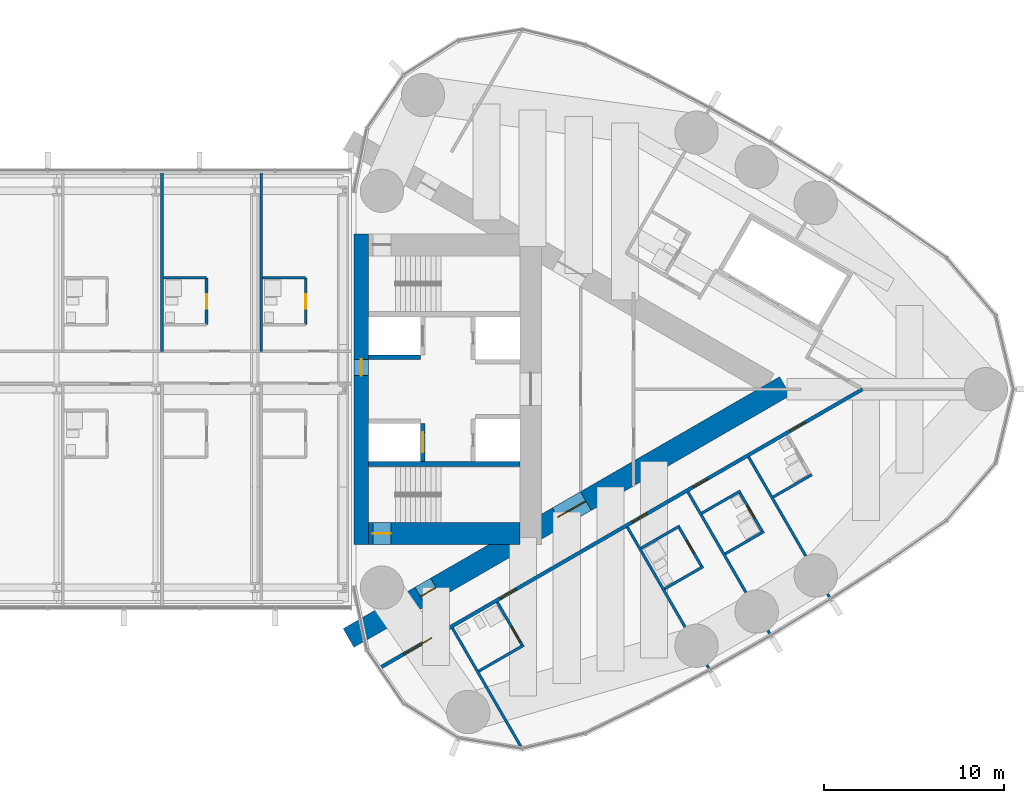
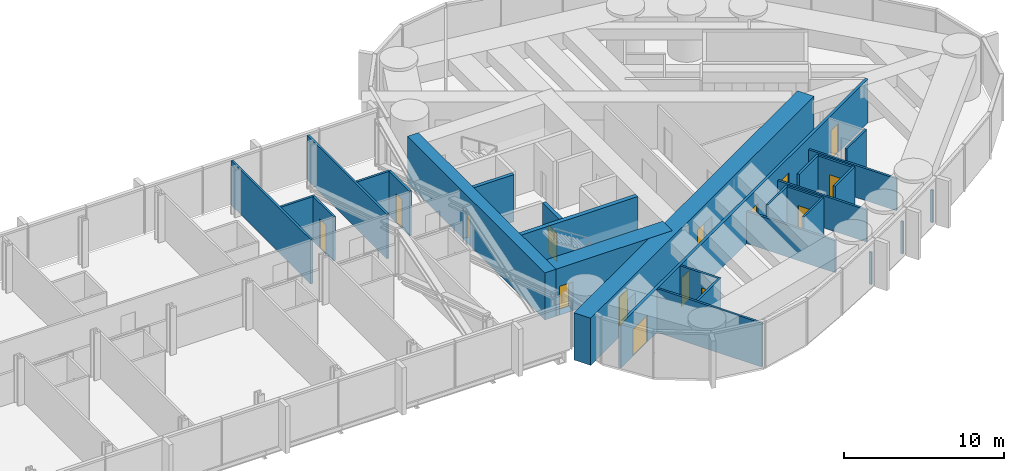
# One storey, part 19 of 24: 29 walls, 15 doors, 15 openings.
"""IFC4 building model written with IfcOpenShell, lengths in metres."""

import ifcopenshell
import ifcopenshell.guid

model = None  # the IFC model being written
_history = None  # IfcOwnerHistory: only IFC2X3 demands one
_inside = {}  # id of a spatial element -> (the spatial element, [elements in it])
_under = {}  # id of a project, library or spatial element -> (it, [spatial elements below it])
_declared = {}  # id of a project -> (the project, [libraries it declares])
_typed = {}  # id of a type object -> (the type object, [elements of that type])
_made_of = {}  # id of a material, layer set ... -> (it, [elements and type objects made of it])


def new_model(schema):
    """Start an empty IFC model of exactly this schema.

    Asked for "IFC4X3", IfcOpenShell would pick the latest addendum, in which some entities
    have other attributes; the version numbers below select the first issue.
    IFC2X3 requires an IfcOwnerHistory on every rooted entity: one is made here for all.
    """
    global model, _history
    if schema == "IFC4X3":
        model = ifcopenshell.file(schema_version=(4, 3, 0, 0))
    else:
        model = ifcopenshell.file(schema=schema)
    _inside.clear()
    _under.clear()
    _declared.clear()
    _typed.clear()
    _made_of.clear()
    _history = None
    if model.schema == "IFC2X3":
        org = make("IfcOrganization", Name="unknown")
        user = make(
            "IfcPersonAndOrganization",
            ThePerson=make("IfcPerson", FamilyName="unknown"),
            TheOrganization=org,
        )
        app = make(
            "IfcApplication",
            ApplicationDeveloper=org,
            Version="unknown",
            ApplicationFullName="unknown",
            ApplicationIdentifier="unknown",
        )
        _history = make(
            "IfcOwnerHistory",
            OwningUser=user,
            OwningApplication=app,
            ChangeAction="ADDED",
            CreationDate=0,
        )
    return model


def make(cls, **values):
    """One entity of the class cls with the attributes given. An attribute that is None is left unset."""
    return model.create_entity(
        cls, **{name: value for name, value in values.items() if value is not None}
    )


def rooted(cls, **values):
    """An entity with a GlobalId (a new one), such as an element, a storey or a relation."""
    return make(cls, GlobalId=ifcopenshell.guid.new(), OwnerHistory=_history, **values)


def si_unit(unit_type, name, prefix=None):
    """IfcSIUnit, for example si_unit("LENGTHUNIT", "METRE", prefix="MILLI")."""
    return make("IfcSIUnit", UnitType=unit_type, Prefix=prefix, Name=name)


def assignment(units):
    """IfcUnitAssignment: the units of a project."""
    return None if units is None else make("IfcUnitAssignment", Units=units)


def point(xyz):
    """IfcCartesianPoint."""
    return None if xyz is None else make("IfcCartesianPoint", Coordinates=xyz)


def direction(xyz):
    """IfcDirection."""
    return None if xyz is None else make("IfcDirection", DirectionRatios=xyz)


def frame(location, z_axis=None, x_axis=None):
    """IfcAxis2Placement3D, a coordinate frame: its origin and axes. An axis left out is left unset."""
    return make(
        "IfcAxis2Placement3D",
        Location=point(location),
        Axis=direction(z_axis),
        RefDirection=direction(x_axis),
    )


def frame_2d(location, x_axis=None):
    """IfcAxis2Placement2D, a coordinate frame in the plane: its origin and x axis."""
    return make(
        "IfcAxis2Placement2D", Location=point(location), RefDirection=direction(x_axis)
    )


def origin():
    """The frame at (0, 0, 0) with its axes left unset."""
    return frame((0.0, 0.0, 0.0))


def place(relative_to, where):
    """IfcLocalPlacement: puts the frame where relative to a parent placement (None: the world)."""
    return make(
        "IfcLocalPlacement", PlacementRelTo=relative_to, RelativePlacement=where
    )


def context(
    kind, dimensions, precision=None, world=None, true_north=None, identifier=None
):
    """IfcGeometricRepresentationContext, for example the 3D "Model" context."""
    return make(
        "IfcGeometricRepresentationContext",
        ContextIdentifier=identifier,
        ContextType=kind,
        CoordinateSpaceDimension=dimensions,
        Precision=precision,
        WorldCoordinateSystem=world,
        TrueNorth=true_north,
    )


def subcontext(parent, identifier, kind, view, scale=None):
    """IfcGeometricRepresentationSubContext, for example "Body" below "Model"."""
    return make(
        "IfcGeometricRepresentationSubContext",
        ContextIdentifier=identifier,
        ContextType=kind,
        ParentContext=parent,
        TargetScale=scale,
        TargetView=view,
    )


def project(units=None, contexts=None):
    """IfcProject with its units and contexts."""
    return rooted(
        "IfcProject",
        Name="project",
        RepresentationContexts=contexts,
        UnitsInContext=assignment(units),
    )


def spatial(cls, under=None, at=None, **own):
    """A site, building, storey or space (cls), placed at a placement, below another one or the project."""
    s = rooted(cls, ObjectPlacement=at, **own)
    if under is not None:
        _under.setdefault(under.id(), (under, []))[1].append(s)
    return s


def profile(cls, at=None, kind="AREA", **sizes):
    """A parametric profile (cls). Its sizes go by their IFC names, for example OverallWidth=200.0."""
    return make(cls, ProfileType=kind, Position=at, **sizes)


def rectangle(**sizes):
    """IfcRectangleProfileDef."""
    return profile("IfcRectangleProfileDef", **sizes)


def extrude(swept, where, along, depth):
    """IfcExtrudedAreaSolid: the profile swept, set in the frame where, extruded along a direction by depth."""
    return make(
        "IfcExtrudedAreaSolid",
        SweptArea=swept,
        Position=where,
        ExtrudedDirection=direction(along),
        Depth=depth,
    )


def shape(context_of_items, identifier, shape_type, items):
    """IfcShapeRepresentation: the items that make up one representation, for example the "Body"."""
    return make(
        "IfcShapeRepresentation",
        ContextOfItems=context_of_items,
        RepresentationIdentifier=identifier,
        RepresentationType=shape_type,
        Items=items,
    )


def material(Name=None, Category=None):
    """IfcMaterial."""
    return make("IfcMaterial", Name=Name, Category=Category)


def layer(
    of_material, thickness, ventilated=None, Name=None, Category=None, Priority=None
):
    """IfcMaterialLayer: one layer of a wall or slab, of a material (None: an air gap)."""
    return make(
        "IfcMaterialLayer",
        Material=of_material,
        LayerThickness=thickness,
        IsVentilated=ventilated,
        Name=Name,
        Category=Category,
        Priority=Priority,
    )


def layer_set(layers, Name=None):
    """IfcMaterialLayerSet."""
    return make("IfcMaterialLayerSet", MaterialLayers=layers, LayerSetName=Name)


def made_of(thing, what):
    """Note that an element or type object is made of a material, layer set ...; save() writes the relation."""
    if what is not None:
        _made_of.setdefault(what.id(), (what, []))[1].append(thing)
    return thing


def type_object(cls, material=None, **own):
    """A type object (cls), such as IfcWallType, which elements share."""
    return made_of(rooted(cls, **own), material)


def element(
    cls,
    number,
    at=None,
    inside=None,
    cuts=None,
    type_object=None,
    material=None,
    context=None,
    identifier="Body",
    shape_type=None,
    held_by="IfcProductDefinitionShape",
    body=None,
    shapes=None,
    **own,
):
    """One element of the class cls, such as IfcWall. Its Tag is "e" and its number.

    at: its placement. inside: the storey or other place that contains it. cuts: it is an
    opening in that element (IfcRelVoidsElement). A single representation is given by context,
    identifier, shape_type and body (its items); several are given by shapes. held_by: the class
    of the entity that holds the representations. save() writes the other relations.
    """
    e = rooted(cls, Tag="e%d" % number, ObjectPlacement=at, **own)
    if body is not None:
        shapes = [shape(context, identifier, shape_type, body)]
    if shapes is not None:
        e.Representation = make(held_by, Representations=shapes)
    if inside is not None:
        _inside.setdefault(inside.id(), (inside, []))[1].append(e)
    if cuts is not None:
        rooted(
            "IfcRelVoidsElement", RelatingBuildingElement=cuts, RelatedOpeningElement=e
        )
    if type_object is not None:
        _typed.setdefault(type_object.id(), (type_object, []))[1].append(e)
    return made_of(e, material)


def fill(opening, filler):
    """IfcRelFillsElement: the door or window that sits in an opening."""
    return rooted(
        "IfcRelFillsElement",
        RelatingOpeningElement=opening,
        RelatedBuildingElement=filler,
    )


def aggregate(whole, parts):
    """IfcRelAggregates: a whole, such as a stair, and the parts it consists of."""
    return rooted("IfcRelAggregates", RelatingObject=whole, RelatedObjects=parts)


def save(model, path):
    """Write the relations noted so far, then the file.

    IfcRelAggregates (storeys below a building ...), IfcRelContainedInSpatialStructure (elements
    in a storey), IfcRelDefinesByType, IfcRelAssociatesMaterial and IfcRelDeclares: one each for
    every whole, place, type object, material and project.
    """
    for whole, parts in _under.values():
        aggregate(whole, parts)
    for where, things in _inside.values():
        rooted(
            "IfcRelContainedInSpatialStructure",
            RelatedElements=things,
            RelatingStructure=where,
        )
    for kind, things in _typed.values():
        rooted("IfcRelDefinesByType", RelatedObjects=things, RelatingType=kind)
    for what, things in _made_of.values():
        rooted("IfcRelAssociatesMaterial", RelatedObjects=things, RelatingMaterial=what)
    for by, libraries in _declared.values():
        rooted("IfcRelDeclares", RelatingContext=by, RelatedDefinitions=libraries)
    model.write(path)


model = new_model("IFC4")

# Units and contexts
model_context = context("Model", 3, precision=1e-05, world=origin(), true_north=direction((0.0, 1.0)))
body_context = subcontext(model_context, "Body", "Model", "MODEL_VIEW")
ifc_project = project(units=[si_unit("LENGTHUNIT", "METRE"), si_unit("AREAUNIT", "SQUARE_METRE"), si_unit("VOLUMEUNIT", "CUBIC_METRE"), si_unit("PLANEANGLEUNIT", "RADIAN"), si_unit("MASSUNIT", "GRAM", prefix="KILO")], contexts=[model_context])

# Site, building, storey
site_placement = place(None, origin())
site = spatial("IfcSite", under=ifc_project, at=site_placement, CompositionType="ELEMENT")
building_placement = place(site_placement, origin())
building = spatial("IfcBuilding", under=site, at=building_placement, Name="Lancet Gate Hotel", CompositionType="ELEMENT")
storey_placement = place(building_placement, frame((0.0, 0.0, 236.89990234375)))
storey = spatial("IfcBuildingStorey", under=building, at=storey_placement, Name="L63", CompositionType="ELEMENT", Elevation=236.89990234375)

# Wall
ifc_material_1 = material(Name="Moisture resistant board partition")
ifc_layer_1 = layer(ifc_material_1, 0.14990234375)
ifc_layer_set_1 = layer_set([ifc_layer_1], Name="Bathroom wall 150")
wall_type_1 = type_object("IfcWallType", Name="Bathroom wall 150", PredefinedType="PARTITIONING", material=ifc_layer_set_1)
wall_1_placement = place(storey_placement, frame((34.425048828125, -15.633056640625, 0.0), z_axis=(0.0, 0.0, 1.0), x_axis=(0.866018712932, 0.500011588718, 0.0)))
element("IfcWall", 1, at=wall_1_placement, inside=storey, type_object=wall_type_1, Name="T2 bathroom wall 150 L63", PredefinedType="PARTITIONING", context=body_context, shape_type="SweptSolid", body=[
    extrude(rectangle(XDim=2.875, YDim=0.14990234375, at=frame_2d((1.4375, 0.0))), origin(), (0.0, 0.0, 1.0), 3.35009765625),
])

# Wall, opening, door
wall_2_placement = place(storey_placement, frame((35.449951171875, -11.80810546875, 0.0), z_axis=(0.0, 0.0, 1.0), x_axis=(0.49994636267, -0.866056369097, 0.0)))
wall_2 = element("IfcWall", 2, at=wall_2_placement, inside=storey, type_object=wall_type_1, Name="T2 bathroom wall 150 L63", PredefinedType="PARTITIONING", context=body_context, shape_type="SweptSolid", body=[
    extrude(rectangle(XDim=2.800048828125, YDim=0.14990234375, at=frame_2d((1.39990234375, 0.0))), origin(), (0.0, 0.0, 1.0), 3.35009765625),
])
opening_1_placement = place(wall_2_placement, frame((1.550048828125, 0.0, 0.0)))
opening_1 = element("IfcOpeningElement", 3, at=opening_1_placement, cuts=wall_2, Name="Opening 6352-B", PredefinedType="OPENING", context=body_context, shape_type="SweptSolid", body=[
    extrude(rectangle(XDim=1.0, YDim=2.199951171875, at=frame_2d((0.5, 1.10009765625))), frame((0.0, 0.0849609375, 0.0), z_axis=(0.0, -1.0, 0.0), x_axis=(1.0, 0.0, 0.0)), (0.0, 0.0, 1.0), 0.169921875),
])
ifc_material_2 = material(Name="Timber door set", Category="wood")
door_type_1 = type_object("IfcDoorType", Name="Accessible en-suite door 1000", OperationType="SINGLE_SWING_RIGHT", PredefinedType="DOOR", material=ifc_material_2)
door_1_placement = place(opening_1_placement, origin())
door_1 = element("IfcDoor", 4, at=door_1_placement, inside=storey, type_object=door_type_1, Name="6352-B", OperationType="SINGLE_SWING_RIGHT", OverallHeight=2.199951171875, OverallWidth=1.0, PredefinedType="DOOR", context=body_context, shape_type="SweptSolid", body=[
    extrude(rectangle(XDim=1.0, YDim=2.199951171875, at=frame_2d((0.5, 1.10009765625))), frame((0.0, 0.02490234375, 0.0), z_axis=(0.0, -1.0, 0.0), x_axis=(1.0, 0.0, 0.0)), (0.0, 0.0, 1.0), 0.050048828125),
])
fill(opening_1, door_1)

# Wall
wall_3_placement = place(storey_placement, frame((44.724609375, -11.072265625, 0.0), z_axis=(0.0, 0.0, 1.0), x_axis=(0.866006523861, 0.500032699561, 0.0)))
element("IfcWall", 5, at=wall_3_placement, inside=storey, type_object=wall_type_1, Name="T2 bathroom wall 150 L63", PredefinedType="PARTITIONING", context=body_context, shape_type="SweptSolid", body=[
    extrude(rectangle(XDim=2.474853515625, YDim=0.14990234375, at=frame_2d((1.2373046875, 0.0))), origin(), (0.0, 0.0, 1.0), 3.35009765625),
])

# Wall, opening, door
wall_4_placement = place(storey_placement, frame((45.5029296875, -7.62060546875, 0.0), z_axis=(0.0, 0.0, 1.0), x_axis=(0.500006934395, -0.866021400173, 0.0)))
wall_4 = element("IfcWall", 6, at=wall_4_placement, inside=storey, type_object=wall_type_1, Name="T2 bathroom wall 150 L63", PredefinedType="PARTITIONING", context=body_context, shape_type="SweptSolid", body=[
    extrude(rectangle(XDim=2.60009765625, YDim=0.14990234375, at=frame_2d((1.300048828125, 0.0))), origin(), (0.0, 0.0, 1.0), 3.35009765625),
])
opening_2_placement = place(wall_4_placement, frame((0.89990234375, 0.0, 0.0)))
opening_2 = element("IfcOpeningElement", 7, at=opening_2_placement, cuts=wall_4, Name="Opening 6353-B", PredefinedType="OPENING", context=body_context, shape_type="SweptSolid", body=[
    extrude(rectangle(XDim=0.800048828125, YDim=2.199951171875, at=frame_2d((0.39990234375, 1.10009765625))), frame((0.0, 0.0849609375, 0.0), z_axis=(0.0, -1.0, 0.0), x_axis=(1.0, 0.0, 0.0)), (0.0, 0.0, 1.0), 0.169921875),
])
ifc_material_3 = material(Name="Timber door set", Category="wood")
door_type_2 = type_object("IfcDoorType", Name="Bathroom door 800", OperationType="SINGLE_SWING_RIGHT", PredefinedType="DOOR", material=ifc_material_3)
door_2_placement = place(opening_2_placement, origin())
door_2 = element("IfcDoor", 8, at=door_2_placement, inside=storey, type_object=door_type_2, Name="6353-B", OperationType="SINGLE_SWING_RIGHT", OverallHeight=2.199951171875, OverallWidth=0.800048828125, PredefinedType="DOOR", context=body_context, shape_type="SweptSolid", body=[
    extrude(rectangle(XDim=0.800048828125, YDim=2.199951171875, at=frame_2d((0.39990234375, 1.10009765625))), frame((0.0, 0.02490234375, 0.0), z_axis=(0.0, -1.0, 0.0), x_axis=(1.0, 0.0, 0.0)), (0.0, 0.0, 1.0), 0.050048828125),
])
fill(opening_2, door_2)

# Walls
for number, where, z_axis, x_axis, name in (
    (9, (43.424560546875, -8.820556640625, 0.0), (0.0, 0.0, 1.0), (0.866006523861, 0.500032699561, 0.0), "T2 bathroom wall 150 L63"),
    (10, (48.087890625, -9.13037109375, 0.0), (0.0, 0.0, 1.0), (0.86604923931, 0.499958713387, 0.0), "T2 bathroom wall 150 L63"),
):
    element("IfcWall", number, at=place(storey_placement, frame(where, z_axis=z_axis, x_axis=x_axis)), inside=storey, type_object=wall_type_1, Name=name, PredefinedType="PARTITIONING", context=body_context, shape_type="SweptSolid", body=[
        extrude(rectangle(XDim=2.474853515625, YDim=0.14990234375, at=frame_2d((1.2373046875, 0.0))), origin(), (0.0, 0.0, 1.0), 3.35009765625),
    ])

# Wall, opening, door
wall_5_placement = place(storey_placement, frame((48.8662109375, -5.6787109375, 0.0), z_axis=(0.0, 0.0, 1.0), x_axis=(0.500006934395, -0.866021400173, 0.0)))
wall_5 = element("IfcWall", 11, at=wall_5_placement, inside=storey, type_object=wall_type_1, Name="T2 bathroom wall 150 L63", PredefinedType="PARTITIONING", context=body_context, shape_type="SweptSolid", body=[
    extrude(rectangle(XDim=2.60009765625, YDim=0.14990234375, at=frame_2d((1.300048828125, 0.0))), origin(), (0.0, 0.0, 1.0), 3.35009765625),
])
opening_3_placement = place(wall_5_placement, frame((0.89990234375, 0.0, 0.0)))
opening_3 = element("IfcOpeningElement", 12, at=opening_3_placement, cuts=wall_5, Name="Opening 6354-B", PredefinedType="OPENING", context=body_context, shape_type="SweptSolid", body=[
    extrude(rectangle(XDim=0.800048828125, YDim=2.199951171875, at=frame_2d((0.39990234375, 1.10009765625))), frame((0.0, 0.0849609375, 0.0), z_axis=(0.0, -1.0, 0.0), x_axis=(1.0, 0.0, 0.0)), (0.0, 0.0, 1.0), 0.169921875),
])
door_3_placement = place(opening_3_placement, origin())
door_3 = element("IfcDoor", 13, at=door_3_placement, inside=storey, type_object=door_type_2, Name="6354-B", OperationType="SINGLE_SWING_RIGHT", OverallHeight=2.199951171875, OverallWidth=0.800048828125, PredefinedType="DOOR", context=body_context, shape_type="SweptSolid", body=[
    extrude(rectangle(XDim=0.800048828125, YDim=2.199951171875, at=frame_2d((0.39990234375, 1.10009765625))), frame((0.0, 0.02490234375, 0.0), z_axis=(0.0, -1.0, 0.0), x_axis=(1.0, 0.0, 0.0)), (0.0, 0.0, 1.0), 0.050048828125),
])
fill(opening_3, door_3)

# Walls
wall_6_placement = place(storey_placement, frame((46.787841796875, -6.87890625, 0.0), z_axis=(0.0, 0.0, 1.0), x_axis=(0.866006523861, 0.500032699561, 0.0)))
element("IfcWall", 14, at=wall_6_placement, inside=storey, type_object=wall_type_1, Name="T2 bathroom wall 150 L63", PredefinedType="PARTITIONING", context=body_context, shape_type="SweptSolid", body=[
    extrude(rectangle(XDim=2.474853515625, YDim=0.14990234375, at=frame_2d((1.2373046875, 0.0))), origin(), (0.0, 0.0, 1.0), 3.35009765625),
])
wall_7_placement = place(storey_placement, frame((50.75, -5.976806640625, 0.0), z_axis=(0.0, 0.0, 1.0), x_axis=(0.866031185235, 0.4999899861, 0.0)))
element("IfcWall", 15, at=wall_7_placement, inside=storey, type_object=wall_type_1, Name="T2 bathroom wall 150 L63", PredefinedType="PARTITIONING", context=body_context, shape_type="SweptSolid", body=[
    extrude(rectangle(XDim=2.47509765625, YDim=0.14990234375, at=frame_2d((1.237548828125, 0.0))), origin(), (0.0, 0.0, 1.0), 3.35009765625),
])
wall_8_placement = place(storey_placement, frame((16.925048828125, 6.175048828125, 0.0), z_axis=(0.0, 0.0, 1.0), x_axis=(1.0, 0.0, 0.0)))
element("IfcWall", 16, at=wall_8_placement, inside=storey, type_object=wall_type_1, Name="Bridge block bathroom wall 150 L63", PredefinedType="PARTITIONING", context=body_context, shape_type="SweptSolid", body=[
    extrude(rectangle(XDim=2.39990234375, YDim=0.14990234375, at=frame_2d((1.199951171875, 0.0))), origin(), (0.0, 0.0, 1.0), 3.400146484375),
])

# Wall, opening, door
wall_9_placement = place(storey_placement, frame((19.324951171875, 3.574951171875, 0.0), z_axis=(0.0, 0.0, 1.0), x_axis=(0.0, 1.0, 0.0)))
wall_9 = element("IfcWall", 17, at=wall_9_placement, inside=storey, type_object=wall_type_1, Name="Bridge block bathroom wall 150 L63", PredefinedType="PARTITIONING", context=body_context, shape_type="SweptSolid", body=[
    extrude(rectangle(XDim=2.60009765625, YDim=0.14990234375, at=frame_2d((1.300048828125, 0.0))), origin(), (0.0, 0.0, 1.0), 3.400146484375),
])
opening_4_placement = place(wall_9_placement, frame((0.89990234375, 0.0, 0.0)))
opening_4 = element("IfcOpeningElement", 18, at=opening_4_placement, cuts=wall_9, Name="Opening B6319-B", PredefinedType="OPENING", context=body_context, shape_type="SweptSolid", body=[
    extrude(rectangle(XDim=0.800048828125, YDim=2.199951171875, at=frame_2d((0.39990234375, 1.10009765625))), frame((0.0, 0.0849609375, 0.0), z_axis=(0.0, -1.0, 0.0), x_axis=(1.0, 0.0, 0.0)), (0.0, 0.0, 1.0), 0.169921875),
])
door_4_placement = place(opening_4_placement, origin())
door_4 = element("IfcDoor", 19, at=door_4_placement, inside=storey, type_object=door_type_2, Name="B6319-B", OperationType="SINGLE_SWING_RIGHT", OverallHeight=2.199951171875, OverallWidth=0.800048828125, PredefinedType="DOOR", context=body_context, shape_type="SweptSolid", body=[
    extrude(rectangle(XDim=0.800048828125, YDim=2.199951171875, at=frame_2d((0.39990234375, 1.10009765625))), frame((0.0, 0.02490234375, 0.0), z_axis=(0.0, -1.0, 0.0), x_axis=(1.0, 0.0, 0.0)), (0.0, 0.0, 1.0), 0.050048828125),
])
fill(opening_4, door_4)

# Wall
wall_10_placement = place(storey_placement, frame((22.425048828125, 6.175048828125, 0.0), z_axis=(0.0, 0.0, 1.0), x_axis=(1.0, 0.0, 0.0)))
element("IfcWall", 20, at=wall_10_placement, inside=storey, type_object=wall_type_1, Name="Bridge block bathroom wall 150 L63", PredefinedType="PARTITIONING", context=body_context, shape_type="SweptSolid", body=[
    extrude(rectangle(XDim=2.39990234375, YDim=0.14990234375, at=frame_2d((1.199951171875, 0.0))), origin(), (0.0, 0.0, 1.0), 3.400146484375),
])

# Wall, opening, door
wall_11_placement = place(storey_placement, frame((24.824951171875, 3.574951171875, 0.0), z_axis=(0.0, 0.0, 1.0), x_axis=(0.0, 1.0, 0.0)))
wall_11 = element("IfcWall", 21, at=wall_11_placement, inside=storey, type_object=wall_type_1, Name="Bridge block bathroom wall 150 L63", PredefinedType="PARTITIONING", context=body_context, shape_type="SweptSolid", body=[
    extrude(rectangle(XDim=2.60009765625, YDim=0.14990234375, at=frame_2d((1.300048828125, 0.0))), origin(), (0.0, 0.0, 1.0), 3.400146484375),
])
opening_5_placement = place(wall_11_placement, frame((0.89990234375, 0.0, 0.0)))
opening_5 = element("IfcOpeningElement", 22, at=opening_5_placement, cuts=wall_11, Name="Opening B6320-B", PredefinedType="OPENING", context=body_context, shape_type="SweptSolid", body=[
    extrude(rectangle(XDim=0.800048828125, YDim=2.199951171875, at=frame_2d((0.39990234375, 1.10009765625))), frame((0.0, 0.0849609375, 0.0), z_axis=(0.0, -1.0, 0.0), x_axis=(1.0, 0.0, 0.0)), (0.0, 0.0, 1.0), 0.169921875),
])
door_5_placement = place(opening_5_placement, origin())
door_5 = element("IfcDoor", 23, at=door_5_placement, inside=storey, type_object=door_type_2, Name="B6320-B", OperationType="SINGLE_SWING_RIGHT", OverallHeight=2.199951171875, OverallWidth=0.800048828125, PredefinedType="DOOR", context=body_context, shape_type="SweptSolid", body=[
    extrude(rectangle(XDim=0.800048828125, YDim=2.199951171875, at=frame_2d((0.39990234375, 1.10009765625))), frame((0.0, 0.02490234375, 0.0), z_axis=(0.0, -1.0, 0.0), x_axis=(1.0, 0.0, 0.0)), (0.0, 0.0, 1.0), 0.050048828125),
])
fill(opening_5, door_5)

# Wall, openings, doors
ifc_material_4 = material(Name="Concrete C70/85", Category="concrete")
ifc_layer_2 = layer(ifc_material_4, 1.199951171875)
ifc_layer_set_2 = layer_set([ifc_layer_2], Name="Buttress wall 1200")
wall_type_2 = type_object("IfcWallType", Name="Buttress wall 1200", PredefinedType="SHEAR", material=ifc_layer_set_2)
wall_12_placement = place(storey_placement, frame((27.199951171875, -13.800048828125, 0.0), z_axis=(0.0, 0.0, 1.0), x_axis=(0.866027159892, 0.499996958321, 0.0)))
wall_12 = element("IfcWall", 24, at=wall_12_placement, inside=storey, type_object=wall_type_2, Name="T2 buttress wall S L63", PredefinedType="SHEAR", context=body_context, shape_type="SweptSolid", body=[
    extrude(rectangle(XDim=27.946533203125, YDim=1.199951171875, at=frame_2d((13.97314453125, 0.0))), origin(), (0.0, 0.0, 1.0), 3.60009765625),
])
opening_6_placement = place(wall_12_placement, frame((4.60009765625, 0.0, 0.0)))
opening_6 = element("IfcOpeningElement", 25, at=opening_6_placement, cuts=wall_12, Name="Opening T2-L63-LS", PredefinedType="OPENING", context=body_context, shape_type="SweptSolid", body=[
    extrude(rectangle(XDim=1.0, YDim=2.199951171875, at=frame_2d((0.5, 1.10009765625))), frame((0.0, 0.60986328125, 0.0), z_axis=(0.0, -1.0, 0.0), x_axis=(1.0, 0.0, 0.0)), (0.0, 0.0, 1.0), 1.219970703125),
])
opening_7_placement = place(wall_12_placement, frame((13.39453125, 0.0, 0.0)))
opening_7 = element("IfcOpeningElement", 26, at=opening_7_placement, cuts=wall_12, Name="Opening T2-L63-LHS", PredefinedType="OPENING", context=body_context, shape_type="SweptSolid", body=[
    extrude(rectangle(XDim=1.800048828125, YDim=2.199951171875, at=frame_2d((0.89990234375, 1.10009765625))), frame((0.0, 0.60986328125, 0.0), z_axis=(0.0, -1.0, 0.0), x_axis=(1.0, 0.0, 0.0)), (0.0, 0.0, 1.0), 1.219970703125),
])
ifc_material_5 = material(Name="Timber door set", Category="wood")
door_type_3 = type_object("IfcDoorType", Name="Lobby double door 1800", OperationType="DOUBLE_DOOR_SINGLE_SWING", PredefinedType="DOOR", material=ifc_material_5)
door_6_placement = place(opening_7_placement, origin())
door_6 = element("IfcDoor", 27, at=door_6_placement, inside=storey, type_object=door_type_3, Name="T2-L63-LHS", OperationType="DOUBLE_DOOR_SINGLE_SWING", OverallHeight=2.199951171875, OverallWidth=1.800048828125, PredefinedType="DOOR", context=body_context, shape_type="SweptSolid", body=[
    extrude(rectangle(XDim=1.800048828125, YDim=2.199951171875, at=frame_2d((0.89990234375, 1.10009765625))), frame((0.0, 0.02490234375, 0.0), z_axis=(0.0, -1.0, 0.0), x_axis=(1.0, 0.0, 0.0)), (0.0, 0.0, 1.0), 0.050048828125),
])
fill(opening_7, door_6)
ifc_material_6 = material(Name="Timber door set", Category="wood")
door_type_4 = type_object("IfcDoorType", Name="Stair lobby door 1000", OperationType="SINGLE_SWING_LEFT", PredefinedType="DOOR", material=ifc_material_6)
door_7_placement = place(opening_6_placement, origin())
door_7 = element("IfcDoor", 28, at=door_7_placement, inside=storey, type_object=door_type_4, Name="T2-L63-LS", OperationType="SINGLE_SWING_LEFT", OverallHeight=2.199951171875, OverallWidth=1.0, PredefinedType="DOOR", context=body_context, shape_type="SweptSolid", body=[
    extrude(rectangle(XDim=1.0, YDim=2.199951171875, at=frame_2d((0.5, 1.10009765625))), frame((0.0, 0.02490234375, 0.0), z_axis=(0.0, -1.0, 0.0), x_axis=(1.0, 0.0, 0.0)), (0.0, 0.0, 1.0), 0.050048828125),
])
fill(opening_6, door_7)

# Wall, opening, door
ifc_material_7 = material(Name="Concrete C70/85", Category="concrete")
ifc_layer_3 = layer(ifc_material_7, 1.199951171875)
ifc_layer_set_3 = layer_set([ifc_layer_3], Name="Core wall 1200")
wall_type_3 = type_object("IfcWallType", Name="Core wall 1200", PredefinedType="SHEAR", material=ifc_layer_set_3)
wall_13_placement = place(storey_placement, frame((28.300048828125, -8.0, 0.0), z_axis=(0.0, 0.0, 1.0), x_axis=(1.0, 0.0, 0.0)))
wall_13 = element("IfcWall", 29, at=wall_13_placement, inside=storey, type_object=wall_type_3, Name="T2 core wall side-S L63", PredefinedType="SHEAR", context=body_context, shape_type="SweptSolid", body=[
    extrude(rectangle(XDim=8.39990234375, YDim=1.199951171875, at=frame_2d((4.199951171875, 0.0))), origin(), (0.0, 0.0, 1.0), 3.60009765625),
])
opening_8_placement = place(wall_13_placement, frame((0.25, 0.0, 0.0)))
opening_8 = element("IfcOpeningElement", 30, at=opening_8_placement, cuts=wall_13, Name="Opening T2-L63-ST1", PredefinedType="OPENING", context=body_context, shape_type="SweptSolid", body=[
    extrude(rectangle(XDim=1.0, YDim=2.199951171875, at=frame_2d((0.5, 1.10009765625))), frame((0.0, 0.60986328125, 0.0), z_axis=(0.0, -1.0, 0.0), x_axis=(1.0, 0.0, 0.0)), (0.0, 0.0, 1.0), 1.219970703125),
])
ifc_material_8 = material(Name="Timber door set", Category="wood")
door_type_5 = type_object("IfcDoorType", Name="Stair door 1000", OperationType="SINGLE_SWING_RIGHT", PredefinedType="DOOR", material=ifc_material_8)
door_8_placement = place(opening_8_placement, origin())
door_8 = element("IfcDoor", 31, at=door_8_placement, inside=storey, type_object=door_type_5, Name="T2-L63-ST1", OperationType="SINGLE_SWING_RIGHT", OverallHeight=2.199951171875, OverallWidth=1.0, PredefinedType="DOOR", context=body_context, shape_type="SweptSolid", body=[
    extrude(rectangle(XDim=1.0, YDim=2.199951171875, at=frame_2d((0.5, 1.10009765625))), frame((0.0, 0.02490234375, 0.0), z_axis=(0.0, -1.0, 0.0), x_axis=(1.0, 0.0, 0.0)), (0.0, 0.0, 1.0), 0.050048828125),
])
fill(opening_8, door_8)

ifc_material_9 = material(Name="Concrete C70/85", Category="concrete")
ifc_layer_4 = layer(ifc_material_9, 0.800048828125)
ifc_layer_set_4 = layer_set([ifc_layer_4], Name="Core wall 800")
wall_type_4 = type_object("IfcWallType", Name="Core wall 800", PredefinedType="SHEAR", material=ifc_layer_set_4)
wall_14_placement = place(storey_placement, frame((27.89990234375, -8.60009765625, 0.0), z_axis=(0.0, 0.0, 1.0), x_axis=(0.0, 1.0, 0.0)))
wall_14 = element("IfcWall", 32, at=wall_14_placement, inside=storey, type_object=wall_type_4, Name="T2 core wall front L63", PredefinedType="SHEAR", context=body_context, shape_type="SweptSolid", body=[
    extrude(rectangle(XDim=17.2001953125, YDim=0.800048828125, at=frame_2d((8.60009765625, 0.0))), origin(), (0.0, 0.0, 1.0), 3.60009765625),
])
opening_9_placement = place(wall_14_placement, frame((9.35009765625, 0.0, 0.0)))
opening_9 = element("IfcOpeningElement", 33, at=opening_9_placement, cuts=wall_14, Name="Opening T2-L63-BR", PredefinedType="OPENING", context=body_context, shape_type="SweptSolid", body=[
    extrude(rectangle(XDim=0.89990234375, YDim=2.199951171875, at=frame_2d((0.449951171875, 1.10009765625))), frame((0.0, 0.409912109375, 0.0), z_axis=(0.0, -1.0, 0.0), x_axis=(1.0, 0.0, 0.0)), (0.0, 0.0, 1.0), 0.820068359375),
])
ifc_material_10 = material(Name="Steel door set", Category="steel")
door_type_6 = type_object("IfcDoorType", Name="Bridge fire door 900", OperationType="SINGLE_SWING_LEFT", PredefinedType="DOOR", material=ifc_material_10)
door_9_placement = place(opening_9_placement, origin())
door_9 = element("IfcDoor", 34, at=door_9_placement, inside=storey, type_object=door_type_6, Name="T2-L63-BR", OperationType="SINGLE_SWING_LEFT", OverallHeight=2.199951171875, OverallWidth=0.89990234375, PredefinedType="DOOR", context=body_context, shape_type="SweptSolid", body=[
    extrude(rectangle(XDim=0.89990234375, YDim=2.199951171875, at=frame_2d((0.449951171875, 1.10009765625))), frame((0.0, 0.02490234375, 0.0), z_axis=(0.0, -1.0, 0.0), x_axis=(1.0, 0.0, 0.0)), (0.0, 0.0, 1.0), 0.050048828125),
])
fill(opening_9, door_9)

# Wall, openings, doors
ifc_material_11 = material(Name="Gypsum board partition")
ifc_layer_5 = layer(ifc_material_11, 0.199951171875)
ifc_layer_set_5 = layer_set([ifc_layer_5], Name="Corridor wall 200")
wall_type_5 = type_object("IfcWallType", Name="Corridor wall 200", PredefinedType="PARTITIONING", material=ifc_layer_set_5)
wall_15_placement = place(storey_placement, frame((28.958984375, -15.440185546875, 0.0), z_axis=(0.0, 0.0, 1.0), x_axis=(0.866025227435, 0.500000305447, 0.0)))
wall_15 = element("IfcWall", 35, at=wall_15_placement, inside=storey, type_object=wall_type_5, Name="T2 corridor wall 200 L63", PredefinedType="PARTITIONING", context=body_context, shape_type="SweptSolid", body=[
    extrude(rectangle(XDim=30.88037109375, YDim=0.199951171875, at=frame_2d((15.440185546875, 0.0))), origin(), (0.0, 0.0, 1.0), 3.35009765625),
])
opening_10_placement = place(wall_15_placement, frame((1.49365234375, 0.0, 0.0)))
opening_10 = element("IfcOpeningElement", 36, at=opening_10_placement, cuts=wall_15, Name="Opening 6351-E", PredefinedType="OPENING", context=body_context, shape_type="SweptSolid", body=[
    extrude(rectangle(XDim=1.800048828125, YDim=2.030029296875, at=frame_2d((0.89990234375, 1.01513671875))), frame((0.0, 0.10986328125, 0.0), z_axis=(0.0, -1.0, 0.0), x_axis=(1.0, 0.0, 0.0)), (0.0, 0.0, 1.0), 0.219970703125),
])
opening_11_placement = place(wall_15_placement, frame((7.687255859375, 0.0, 0.0)))
opening_11 = element("IfcOpeningElement", 37, at=opening_11_placement, cuts=wall_15, Name="Opening 6352-E", PredefinedType="OPENING", context=body_context, shape_type="SweptSolid", body=[
    extrude(rectangle(XDim=1.0, YDim=2.199951171875, at=frame_2d((0.5, 1.10009765625))), frame((0.0, 0.10986328125, 0.0), z_axis=(0.0, -1.0, 0.0), x_axis=(1.0, 0.0, 0.0)), (0.0, 0.0, 1.0), 0.219970703125),
])
opening_12_placement = place(wall_15_placement, frame((16.13720703125, 0.0, 0.0)))
opening_12 = element("IfcOpeningElement", 38, at=opening_12_placement, cuts=wall_15, Name="Opening 6353-E", PredefinedType="OPENING", context=body_context, shape_type="SweptSolid", body=[
    extrude(rectangle(XDim=0.949951171875, YDim=2.199951171875, at=frame_2d((0.47509765625, 1.10009765625))), frame((0.0, 0.10986328125, 0.0), z_axis=(0.0, -1.0, 0.0), x_axis=(1.0, 0.0, 0.0)), (0.0, 0.0, 1.0), 0.219970703125),
])
opening_13_placement = place(wall_15_placement, frame((20.020751953125, 0.0, 0.0)))
opening_13 = element("IfcOpeningElement", 39, at=opening_13_placement, cuts=wall_15, Name="Opening 6354-E", PredefinedType="OPENING", context=body_context, shape_type="SweptSolid", body=[
    extrude(rectangle(XDim=0.949951171875, YDim=2.199951171875, at=frame_2d((0.47509765625, 1.10009765625))), frame((0.0, 0.10986328125, 0.0), z_axis=(0.0, -1.0, 0.0), x_axis=(1.0, 0.0, 0.0)), (0.0, 0.0, 1.0), 0.219970703125),
])
opening_14_placement = place(wall_15_placement, frame((26.25341796875, 0.0, 0.0)))
opening_14 = element("IfcOpeningElement", 40, at=opening_14_placement, cuts=wall_15, Name="Opening 6355-E", PredefinedType="OPENING", context=body_context, shape_type="SweptSolid", body=[
    extrude(rectangle(XDim=0.949951171875, YDim=2.199951171875, at=frame_2d((0.47509765625, 1.10009765625))), frame((0.0, 0.10986328125, 0.0), z_axis=(0.0, -1.0, 0.0), x_axis=(1.0, 0.0, 0.0)), (0.0, 0.0, 1.0), 0.219970703125),
])
ifc_material_12 = material(Name="Timber door set", Category="wood")
door_type_7 = type_object("IfcDoorType", Name="Accessible guest room door 1000", OperationType="SINGLE_SWING_LEFT", PredefinedType="DOOR", material=ifc_material_12)
door_10_placement = place(opening_11_placement, origin())
door_10 = element("IfcDoor", 41, at=door_10_placement, inside=storey, type_object=door_type_7, Name="6352-E", OperationType="SINGLE_SWING_LEFT", OverallHeight=2.199951171875, OverallWidth=1.0, PredefinedType="DOOR", context=body_context, shape_type="SweptSolid", body=[
    extrude(rectangle(XDim=1.0, YDim=2.199951171875, at=frame_2d((0.5, 1.10009765625))), frame((0.0, 0.02490234375, 0.0), z_axis=(0.0, -1.0, 0.0), x_axis=(1.0, 0.0, 0.0)), (0.0, 0.0, 1.0), 0.050048828125),
])
fill(opening_11, door_10)
ifc_material_13 = material(Name="Timber door set", Category="wood")
door_type_8 = type_object("IfcDoorType", Name="Double door 1800, 2030 high", OperationType="DOUBLE_DOOR_SINGLE_SWING", PredefinedType="DOOR", material=ifc_material_13)
door_11_placement = place(opening_10_placement, origin())
door_11 = element("IfcDoor", 42, at=door_11_placement, inside=storey, type_object=door_type_8, Name="6351-E", OperationType="DOUBLE_DOOR_SINGLE_SWING", OverallHeight=2.030029296875, OverallWidth=1.800048828125, PredefinedType="DOOR", context=body_context, shape_type="SweptSolid", body=[
    extrude(rectangle(XDim=1.800048828125, YDim=2.030029296875, at=frame_2d((0.89990234375, 1.01513671875))), frame((0.0, 0.02490234375, 0.0), z_axis=(0.0, -1.0, 0.0), x_axis=(1.0, 0.0, 0.0)), (0.0, 0.0, 1.0), 0.050048828125),
])
fill(opening_10, door_11)
ifc_material_14 = material(Name="Timber door set", Category="wood")
door_type_9 = type_object("IfcDoorType", Name="Guest room entry door 950", OperationType="SINGLE_SWING_LEFT", PredefinedType="DOOR", material=ifc_material_14)
door_12_placement = place(opening_12_placement, origin())
door_12 = element("IfcDoor", 43, at=door_12_placement, inside=storey, type_object=door_type_9, Name="6353-E", OperationType="SINGLE_SWING_LEFT", OverallHeight=2.199951171875, OverallWidth=0.949951171875, PredefinedType="DOOR", context=body_context, shape_type="SweptSolid", body=[
    extrude(rectangle(XDim=0.949951171875, YDim=2.199951171875, at=frame_2d((0.47509765625, 1.10009765625))), frame((0.0, 0.02490234375, 0.0), z_axis=(0.0, -1.0, 0.0), x_axis=(1.0, 0.0, 0.0)), (0.0, 0.0, 1.0), 0.050048828125),
])
fill(opening_12, door_12)
door_13_placement = place(opening_13_placement, origin())
door_13 = element("IfcDoor", 44, at=door_13_placement, inside=storey, type_object=door_type_9, Name="6354-E", OperationType="SINGLE_SWING_LEFT", OverallHeight=2.199951171875, OverallWidth=0.949951171875, PredefinedType="DOOR", context=body_context, shape_type="SweptSolid", body=[
    extrude(rectangle(XDim=0.949951171875, YDim=2.199951171875, at=frame_2d((0.47509765625, 1.10009765625))), frame((0.0, 0.02490234375, 0.0), z_axis=(0.0, -1.0, 0.0), x_axis=(1.0, 0.0, 0.0)), (0.0, 0.0, 1.0), 0.050048828125),
])
fill(opening_13, door_13)
door_14_placement = place(opening_14_placement, origin())
door_14 = element("IfcDoor", 45, at=door_14_placement, inside=storey, type_object=door_type_9, Name="6355-E", OperationType="SINGLE_SWING_LEFT", OverallHeight=2.199951171875, OverallWidth=0.949951171875, PredefinedType="DOOR", context=body_context, shape_type="SweptSolid", body=[
    extrude(rectangle(XDim=0.949951171875, YDim=2.199951171875, at=frame_2d((0.47509765625, 1.10009765625))), frame((0.0, 0.02490234375, 0.0), z_axis=(0.0, -1.0, 0.0), x_axis=(1.0, 0.0, 0.0)), (0.0, 0.0, 1.0), 0.050048828125),
])
fill(opening_14, door_14)

# Wall, opening, door
ifc_material_15 = material(Name="Concrete C50/60", Category="concrete")
ifc_layer_6 = layer(ifc_material_15, 0.25)
ifc_layer_set_6 = layer_set([ifc_layer_6], Name="Lift shaft wall 250")
wall_type_6 = type_object("IfcWallType", Name="Lift shaft wall 250", PredefinedType="SHEAR", material=ifc_layer_set_6)
wall_16_placement = place(storey_placement, frame((31.324951171875, -4.0, 0.0), z_axis=(0.0, 0.0, 1.0), x_axis=(0.0, 1.0, 0.0)))
wall_16 = element("IfcWall", 46, at=wall_16_placement, inside=storey, type_object=wall_type_6, Name="T2 core wall row1-S L63", PredefinedType="SHEAR", context=body_context, shape_type="SweptSolid", body=[
    extrude(rectangle(XDim=2.10009765625, YDim=0.25, at=frame_2d((1.050048828125, 0.0))), origin(), (0.0, 0.0, 1.0), 3.60009765625),
])
opening_15_placement = place(wall_16_placement, frame((0.5, 0.0, 0.0)))
opening_15 = element("IfcOpeningElement", 47, at=opening_15_placement, cuts=wall_16, Name="Opening T2-SL1-L63", PredefinedType="OPENING", context=body_context, shape_type="SweptSolid", body=[
    extrude(rectangle(XDim=1.10009765625, YDim=2.199951171875, at=frame_2d((0.550048828125, 1.10009765625))), frame((0.0, 0.135009765625, 0.0), z_axis=(0.0, -1.0, 0.0), x_axis=(1.0, 0.0, 0.0)), (0.0, 0.0, 1.0), 0.27001953125),
])
ifc_material_16 = material(Name="Timber door set", Category="wood")
door_type_10 = type_object("IfcDoorType", Name="Service lift landing door 1100", OperationType="SLIDING_TO_LEFT", PredefinedType="USERDEFINED", material=ifc_material_16)
door_15_placement = place(opening_15_placement, origin())
door_15 = element("IfcDoor", 48, at=door_15_placement, inside=storey, type_object=door_type_10, Name="T2-SL1-L63", ObjectType="LIFT LANDING DOOR", OperationType="SLIDING_TO_LEFT", OverallHeight=2.199951171875, OverallWidth=1.10009765625, PredefinedType="USERDEFINED", context=body_context, shape_type="SweptSolid", body=[
    extrude(rectangle(XDim=1.10009765625, YDim=2.199951171875, at=frame_2d((0.550048828125, 1.10009765625))), frame((0.0, 0.02490234375, 0.0), z_axis=(0.0, -1.0, 0.0), x_axis=(1.0, 0.0, 0.0)), (0.0, 0.0, 1.0), 0.050048828125),
])
fill(opening_15, door_15)

# Walls
wall_17_placement = place(storey_placement, frame((28.300048828125, 1.77490234375, 0.0), z_axis=(0.0, 0.0, 1.0), x_axis=(1.0, 0.0, 0.0)))
element("IfcWall", 49, at=wall_17_placement, inside=storey, type_object=wall_type_6, Name="T2 core wall pass1-N L63", PredefinedType="SHEAR", context=body_context, shape_type="SweptSolid", body=[
    extrude(rectangle(XDim=2.89990234375, YDim=0.25, at=frame_2d((1.449951171875, 0.0))), origin(), (0.0, 0.0, 1.0), 3.60009765625),
])
ifc_material_17 = material(Name="Gypsum board partition")
ifc_layer_7 = layer(ifc_material_17, 0.14990234375)
ifc_layer_set_7 = layer_set([ifc_layer_7], Name="Party wall 150")
wall_type_7 = type_object("IfcWallType", Name="Party wall 150", PredefinedType="PARTITIONING", material=ifc_layer_set_7)
wall_18_placement = place(storey_placement, frame((32.9599609375, -13.24560546875, 0.0), z_axis=(0.0, 0.0, 1.0), x_axis=(0.500000236886, -0.866025267018, 0.0)))
element("IfcWall", 50, at=wall_18_placement, inside=storey, type_object=wall_type_7, Name="T2 party wall 150 L63", PredefinedType="PARTITIONING", context=body_context, shape_type="SweptSolid", body=[
    extrude(rectangle(XDim=7.58251953125, YDim=0.14990234375, at=frame_2d((3.791259765625, 0.0))), origin(), (0.0, 0.0, 1.0), 3.35009765625),
])
wall_19_placement = place(storey_placement, frame((42.65966796875, -7.6455078125, 0.0), z_axis=(0.0, 0.0, 1.0), x_axis=(0.499996592859, -0.866027370889, 0.0)))
element("IfcWall", 51, at=wall_19_placement, inside=storey, type_object=wall_type_7, Name="T2 party wall 150 L63", PredefinedType="PARTITIONING", context=body_context, shape_type="SweptSolid", body=[
    extrude(rectangle(XDim=6.3984375, YDim=0.14990234375, at=frame_2d((3.19921875, 0.0))), origin(), (0.0, 0.0, 1.0), 2.4501953125),
])
wall_20_placement = place(storey_placement, frame((47.078857421875, -15.2998046875, 0.0), z_axis=(0.0, 0.0, 1.0), x_axis=(0.499212083968, -0.866479829667, 0.0)))
element("IfcWall", 52, at=wall_20_placement, inside=storey, type_object=wall_type_7, Name="T2 party wall 150 L63", PredefinedType="PARTITIONING", context=body_context, shape_type="SweptSolid", body=[
    extrude(rectangle(XDim=0.179443359375, YDim=0.14990234375, at=frame_2d((0.08984375, 0.0))), origin(), (0.0, 0.0, 1.0), 2.4501953125),
])
wall_21_placement = place(storey_placement, frame((46.02294921875, -5.703857421875, 0.0), z_axis=(0.0, 0.0, 1.0), x_axis=(0.499984478165, -0.866034365135, 0.0)))
element("IfcWall", 53, at=wall_21_placement, inside=storey, type_object=wall_type_7, Name="T2 party wall 150 L63", PredefinedType="PARTITIONING", context=body_context, shape_type="SweptSolid", body=[
    extrude(rectangle(XDim=6.425537109375, YDim=0.14990234375, at=frame_2d((3.212890625, 0.0))), origin(), (0.0, 0.0, 1.0), 2.4501953125),
])
wall_22_placement = place(storey_placement, frame((50.45556640625, -13.381591796875, 0.0), z_axis=(0.0, 0.0, 1.0), x_axis=(0.500661834965, -0.865642955848, 0.0)))
element("IfcWall", 54, at=wall_22_placement, inside=storey, type_object=wall_type_7, Name="T2 party wall 150 L63", PredefinedType="PARTITIONING", context=body_context, shape_type="SweptSolid", body=[
    extrude(rectangle(XDim=0.179931640625, YDim=0.14990234375, at=frame_2d((0.08984375, 0.0))), origin(), (0.0, 0.0, 1.0), 2.4501953125),
])
wall_23_placement = place(storey_placement, frame((49.38525390625, -3.7626953125, 0.0), z_axis=(0.0, 0.0, 1.0), x_axis=(0.499999447814, -0.866025722589, 0.0)))
element("IfcWall", 55, at=wall_23_placement, inside=storey, type_object=wall_type_7, Name="T2 party wall 150 L63", PredefinedType="PARTITIONING", context=body_context, shape_type="SweptSolid", body=[
    extrude(rectangle(XDim=6.33251953125, YDim=0.14990234375, at=frame_2d((3.166259765625, 0.0))), origin(), (0.0, 0.0, 1.0), 2.4501953125),
])
wall_24_placement = place(storey_placement, frame((53.771484375, -11.35986328125, 0.0), z_axis=(0.0, 0.0, 1.0), x_axis=(0.499524978789, -0.866299483762, 0.0)))
element("IfcWall", 56, at=wall_24_placement, inside=storey, type_object=wall_type_7, Name="T2 party wall 150 L63", PredefinedType="PARTITIONING", context=body_context, shape_type="SweptSolid", body=[
    extrude(rectangle(XDim=0.178466796875, YDim=0.14990234375, at=frame_2d((0.08935546875, 0.0))), origin(), (0.0, 0.0, 1.0), 2.4501953125),
])
for number, where, z_axis, x_axis, name in (
    (57, (16.85009765625, 2.10009765625, 0.0), (0.0, 0.0, 1.0), (0.0, 1.0, 0.0), "Bridge block party wall 150 L63"),
    (58, (22.35009765625, 2.10009765625, 0.0), (0.0, 0.0, 1.0), (0.0, 1.0, 0.0), "Bridge block party wall 150 L63"),
):
    element("IfcWall", number, at=place(storey_placement, frame(where, z_axis=z_axis, x_axis=x_axis)), inside=storey, type_object=wall_type_7, Name=name, PredefinedType="PARTITIONING", context=body_context, shape_type="SweptSolid", body=[
        extrude(rectangle(XDim=9.969970703125, YDim=0.14990234375, at=frame_2d((4.98486328125, 0.0))), origin(), (0.0, 0.0, 1.0), 3.400146484375),
    ])
ifc_material_18 = material(Name="Concrete C50/60", Category="concrete")
ifc_layer_8 = layer(ifc_material_18, 0.300048828125)
ifc_layer_set_8 = layer_set([ifc_layer_8], Name="Stair enclosure wall 300")
wall_type_8 = type_object("IfcWallType", Name="Stair enclosure wall 300", PredefinedType="SHEAR", material=ifc_layer_set_8)
wall_25_placement = place(storey_placement, frame((28.300048828125, -4.14990234375, 0.0), z_axis=(0.0, 0.0, 1.0), x_axis=(1.0, 0.0, 0.0)))
element("IfcWall", 59, at=wall_25_placement, inside=storey, type_object=wall_type_8, Name="T2 core wall stair-S L63", PredefinedType="SHEAR", context=body_context, shape_type="SweptSolid", body=[
    extrude(rectangle(XDim=8.39990234375, YDim=0.300048828125, at=frame_2d((4.199951171875, 0.0))), origin(), (0.0, 0.0, 1.0), 3.60009765625),
])

save(model, "model.ifc")
